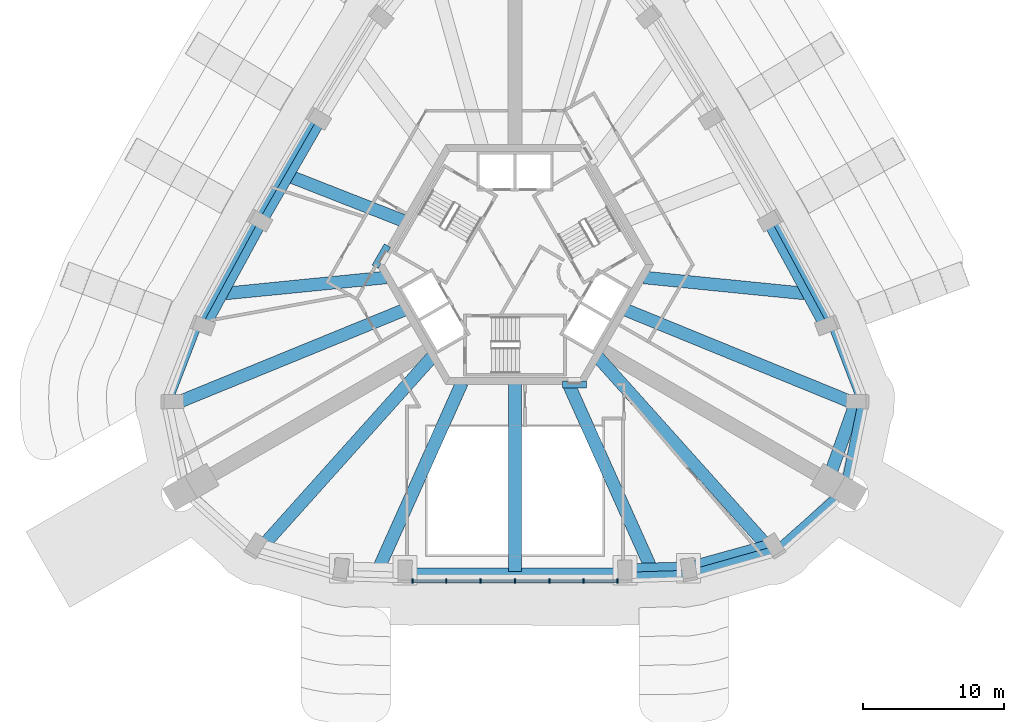
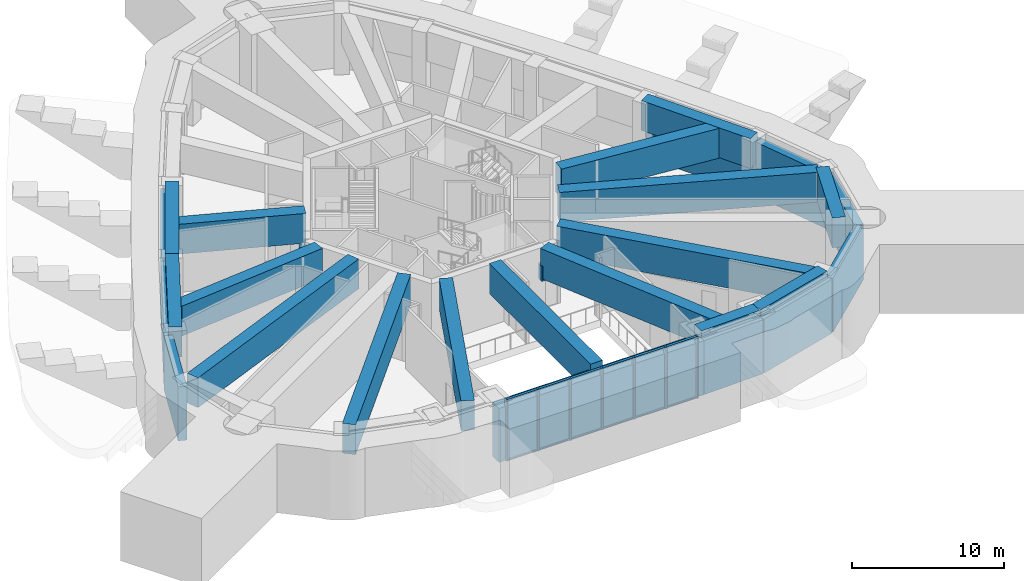
# One storey, part 2 of 15: 29 members, 18 beams, 1 element without a shape of its own.
"""IFC4 building model written with IfcOpenShell, lengths in metres."""

import ifcopenshell
import ifcopenshell.guid

model = None  # the IFC model being written
_history = None  # IfcOwnerHistory: only IFC2X3 demands one
_inside = {}  # id of a spatial element -> (the spatial element, [elements in it])
_under = {}  # id of a project, library or spatial element -> (it, [spatial elements below it])
_declared = {}  # id of a project -> (the project, [libraries it declares])
_typed = {}  # id of a type object -> (the type object, [elements of that type])
_made_of = {}  # id of a material, layer set ... -> (it, [elements and type objects made of it])


def new_model(schema):
    """Start an empty IFC model of exactly this schema.

    Asked for "IFC4X3", IfcOpenShell would pick the latest addendum, in which some entities
    have other attributes; the version numbers below select the first issue.
    IFC2X3 requires an IfcOwnerHistory on every rooted entity: one is made here for all.
    """
    global model, _history
    if schema == "IFC4X3":
        model = ifcopenshell.file(schema_version=(4, 3, 0, 0))
    else:
        model = ifcopenshell.file(schema=schema)
    _inside.clear()
    _under.clear()
    _declared.clear()
    _typed.clear()
    _made_of.clear()
    _history = None
    if model.schema == "IFC2X3":
        org = make("IfcOrganization", Name="unknown")
        user = make(
            "IfcPersonAndOrganization",
            ThePerson=make("IfcPerson", FamilyName="unknown"),
            TheOrganization=org,
        )
        app = make(
            "IfcApplication",
            ApplicationDeveloper=org,
            Version="unknown",
            ApplicationFullName="unknown",
            ApplicationIdentifier="unknown",
        )
        _history = make(
            "IfcOwnerHistory",
            OwningUser=user,
            OwningApplication=app,
            ChangeAction="ADDED",
            CreationDate=0,
        )
    return model


def make(cls, **values):
    """One entity of the class cls with the attributes given. An attribute that is None is left unset."""
    return model.create_entity(
        cls, **{name: value for name, value in values.items() if value is not None}
    )


def rooted(cls, **values):
    """An entity with a GlobalId (a new one), such as an element, a storey or a relation."""
    return make(cls, GlobalId=ifcopenshell.guid.new(), OwnerHistory=_history, **values)


def si_unit(unit_type, name, prefix=None):
    """IfcSIUnit, for example si_unit("LENGTHUNIT", "METRE", prefix="MILLI")."""
    return make("IfcSIUnit", UnitType=unit_type, Prefix=prefix, Name=name)


def assignment(units):
    """IfcUnitAssignment: the units of a project."""
    return None if units is None else make("IfcUnitAssignment", Units=units)


def point(xyz):
    """IfcCartesianPoint."""
    return None if xyz is None else make("IfcCartesianPoint", Coordinates=xyz)


def direction(xyz):
    """IfcDirection."""
    return None if xyz is None else make("IfcDirection", DirectionRatios=xyz)


def frame(location, z_axis=None, x_axis=None):
    """IfcAxis2Placement3D, a coordinate frame: its origin and axes. An axis left out is left unset."""
    return make(
        "IfcAxis2Placement3D",
        Location=point(location),
        Axis=direction(z_axis),
        RefDirection=direction(x_axis),
    )


def frame_2d(location, x_axis=None):
    """IfcAxis2Placement2D, a coordinate frame in the plane: its origin and x axis."""
    return make(
        "IfcAxis2Placement2D", Location=point(location), RefDirection=direction(x_axis)
    )


def origin():
    """The frame at (0, 0, 0) with its axes left unset."""
    return frame((0.0, 0.0, 0.0))


def origin_2d():
    """The frame at (0, 0) in the plane with its x axis left unset."""
    return frame_2d((0.0, 0.0))


def place(relative_to, where):
    """IfcLocalPlacement: puts the frame where relative to a parent placement (None: the world)."""
    return make(
        "IfcLocalPlacement", PlacementRelTo=relative_to, RelativePlacement=where
    )


def context(
    kind, dimensions, precision=None, world=None, true_north=None, identifier=None
):
    """IfcGeometricRepresentationContext, for example the 3D "Model" context."""
    return make(
        "IfcGeometricRepresentationContext",
        ContextIdentifier=identifier,
        ContextType=kind,
        CoordinateSpaceDimension=dimensions,
        Precision=precision,
        WorldCoordinateSystem=world,
        TrueNorth=true_north,
    )


def subcontext(parent, identifier, kind, view, scale=None):
    """IfcGeometricRepresentationSubContext, for example "Body" below "Model"."""
    return make(
        "IfcGeometricRepresentationSubContext",
        ContextIdentifier=identifier,
        ContextType=kind,
        ParentContext=parent,
        TargetScale=scale,
        TargetView=view,
    )


def project(units=None, contexts=None):
    """IfcProject with its units and contexts."""
    return rooted(
        "IfcProject",
        Name="project",
        RepresentationContexts=contexts,
        UnitsInContext=assignment(units),
    )


def spatial(cls, under=None, at=None, **own):
    """A site, building, storey or space (cls), placed at a placement, below another one or the project."""
    s = rooted(cls, ObjectPlacement=at, **own)
    if under is not None:
        _under.setdefault(under.id(), (under, []))[1].append(s)
    return s


def profile(cls, at=None, kind="AREA", **sizes):
    """A parametric profile (cls). Its sizes go by their IFC names, for example OverallWidth=200.0."""
    return make(cls, ProfileType=kind, Position=at, **sizes)


def rectangle(**sizes):
    """IfcRectangleProfileDef."""
    return profile("IfcRectangleProfileDef", **sizes)


def extrude(swept, where, along, depth):
    """IfcExtrudedAreaSolid: the profile swept, set in the frame where, extruded along a direction by depth."""
    return make(
        "IfcExtrudedAreaSolid",
        SweptArea=swept,
        Position=where,
        ExtrudedDirection=direction(along),
        Depth=depth,
    )


def shape(context_of_items, identifier, shape_type, items):
    """IfcShapeRepresentation: the items that make up one representation, for example the "Body"."""
    return make(
        "IfcShapeRepresentation",
        ContextOfItems=context_of_items,
        RepresentationIdentifier=identifier,
        RepresentationType=shape_type,
        Items=items,
    )


def material(Name=None, Category=None):
    """IfcMaterial."""
    return make("IfcMaterial", Name=Name, Category=Category)


def material_profile(
    of_material, cross_section, Name=None, Category=None, Priority=None
):
    """IfcMaterialProfile: a cross section and its material."""
    return make(
        "IfcMaterialProfile",
        Name=Name,
        Material=of_material,
        Profile=cross_section,
        Priority=Priority,
        Category=Category,
    )


def profile_set(profiles, Name=None, composite=None):
    """IfcMaterialProfileSet."""
    return make(
        "IfcMaterialProfileSet",
        Name=Name,
        MaterialProfiles=profiles,
        CompositeProfile=composite,
    )


def made_of(thing, what):
    """Note that an element or type object is made of a material, layer set ...; save() writes the relation."""
    if what is not None:
        _made_of.setdefault(what.id(), (what, []))[1].append(thing)
    return thing


def type_object(cls, material=None, **own):
    """A type object (cls), such as IfcWallType, which elements share."""
    return made_of(rooted(cls, **own), material)


def element(
    cls,
    number,
    at=None,
    inside=None,
    cuts=None,
    type_object=None,
    material=None,
    context=None,
    identifier="Body",
    shape_type=None,
    held_by="IfcProductDefinitionShape",
    body=None,
    shapes=None,
    **own,
):
    """One element of the class cls, such as IfcWall. Its Tag is "e" and its number.

    at: its placement. inside: the storey or other place that contains it. cuts: it is an
    opening in that element (IfcRelVoidsElement). A single representation is given by context,
    identifier, shape_type and body (its items); several are given by shapes. held_by: the class
    of the entity that holds the representations. save() writes the other relations.
    """
    e = rooted(cls, Tag="e%d" % number, ObjectPlacement=at, **own)
    if body is not None:
        shapes = [shape(context, identifier, shape_type, body)]
    if shapes is not None:
        e.Representation = make(held_by, Representations=shapes)
    if inside is not None:
        _inside.setdefault(inside.id(), (inside, []))[1].append(e)
    if cuts is not None:
        rooted(
            "IfcRelVoidsElement", RelatingBuildingElement=cuts, RelatedOpeningElement=e
        )
    if type_object is not None:
        _typed.setdefault(type_object.id(), (type_object, []))[1].append(e)
    return made_of(e, material)


def aggregate(whole, parts):
    """IfcRelAggregates: a whole, such as a stair, and the parts it consists of."""
    return rooted("IfcRelAggregates", RelatingObject=whole, RelatedObjects=parts)


def save(model, path):
    """Write the relations noted so far, then the file.

    IfcRelAggregates (storeys below a building ...), IfcRelContainedInSpatialStructure (elements
    in a storey), IfcRelDefinesByType, IfcRelAssociatesMaterial and IfcRelDeclares: one each for
    every whole, place, type object, material and project.
    """
    for whole, parts in _under.values():
        aggregate(whole, parts)
    for where, things in _inside.values():
        rooted(
            "IfcRelContainedInSpatialStructure",
            RelatedElements=things,
            RelatingStructure=where,
        )
    for kind, things in _typed.values():
        rooted("IfcRelDefinesByType", RelatedObjects=things, RelatingType=kind)
    for what, things in _made_of.values():
        rooted("IfcRelAssociatesMaterial", RelatedObjects=things, RelatingMaterial=what)
    for by, libraries in _declared.values():
        rooted("IfcRelDeclares", RelatingContext=by, RelatedDefinitions=libraries)
    model.write(path)


model = new_model("IFC4")

# Units and contexts
model_context = context("Model", 3, precision=1e-05, world=origin(), true_north=direction((0.0, 1.0)))
body_context = subcontext(model_context, "Body", "Model", "MODEL_VIEW")
ifc_project = project(units=[si_unit("LENGTHUNIT", "METRE"), si_unit("AREAUNIT", "SQUARE_METRE"), si_unit("VOLUMEUNIT", "CUBIC_METRE"), si_unit("PLANEANGLEUNIT", "RADIAN"), si_unit("MASSUNIT", "GRAM", prefix="KILO")], contexts=[model_context])

# Site, building, storey
site_placement = place(None, origin())
site = spatial("IfcSite", under=ifc_project, at=site_placement, CompositionType="ELEMENT")
building_placement = place(site_placement, origin())
building = spatial("IfcBuilding", under=site, at=building_placement, Name="Entoto Arch Interchange Tower", CompositionType="ELEMENT")
storey_placement = place(building_placement, frame((0.0, 0.0, 326.0)))
storey = spatial("IfcBuildingStorey", under=building, at=storey_placement, Name="L77", CompositionType="ELEMENT", Elevation=326.0)

# Members
ifc_material_1 = material(Name="Concrete C40/50", Category="concrete")
ifc_material_profile_1 = material_profile(ifc_material_1, rectangle(XDim=0.60009765625, YDim=4.35009765625, at=origin_2d()))
ifc_profile_set_1 = profile_set([ifc_material_profile_1], Name="Concrete C40/50")
member_type_1 = type_object("IfcMemberType", Name="Belt member RC 600x4350 C40/50", PredefinedType="USERDEFINED", material=ifc_profile_set_1)
member_1_placement = place(storey_placement, frame((7.79296875, -19.589111328125, 2.175048828125), z_axis=(0.999493632007, 0.031819484239, 0.0), x_axis=(-0.031819484239, 0.999493632007, 0.0)))
element("IfcMember", 1, at=member_1_placement, inside=storey, type_object=member_type_1, Name="Belt beam 03 L77", ObjectType="BELT BEAM", PredefinedType="USERDEFINED", context=body_context, shape_type="SweptSolid", body=[
    extrude(rectangle(XDim=0.60009765625, YDim=4.35009765625, at=origin_2d()), origin(), (0.0, 0.0, 1.0), 4.58837890625),
])
member_2_placement = place(storey_placement, frame((12.37890625, -19.443115234375, 2.175048828125), z_axis=(0.962373790372, 0.271729070223, 0.0), x_axis=(-0.271729070223, 0.962373790372, 0.0)))
element("IfcMember", 2, at=member_2_placement, inside=storey, type_object=member_type_1, Name="Belt beam 04 L77", ObjectType="BELT BEAM", PredefinedType="USERDEFINED", context=body_context, shape_type="SweptSolid", body=[
    extrude(rectangle(XDim=0.60009765625, YDim=4.35009765625, at=origin_2d()), origin(), (0.0, 0.0, 1.0), 6.42578125),
])
member_3_placement = place(storey_placement, frame((18.56298828125, -17.697021484375, 2.175048828125), z_axis=(0.747633442588, 0.664111613755, 0.0), x_axis=(-0.664111613755, 0.747633442588, 0.0)))
element("IfcMember", 3, at=member_3_placement, inside=storey, type_object=member_type_1, Name="Belt beam 05 L77", ObjectType="BELT BEAM", PredefinedType="USERDEFINED", context=body_context, shape_type="SweptSolid", body=[
    extrude(rectangle(XDim=0.60009765625, YDim=4.35009765625, at=origin_2d()), origin(), (0.0, 0.0, 1.0), 6.369384765625),
])
member_4_placement = place(storey_placement, frame((23.324951171875, -13.467041015625, 2.175048828125), z_axis=(0.201339052454, 0.979521610766, 0.0), x_axis=(-0.979521610766, 0.201339052454, 0.0)))
element("IfcMember", 4, at=member_4_placement, inside=storey, type_object=member_type_1, Name="Belt beam 06 L77", ObjectType="BELT BEAM", PredefinedType="USERDEFINED", context=body_context, shape_type="SweptSolid", body=[
    extrude(rectangle(XDim=0.60009765625, YDim=4.35009765625, at=origin_2d()), origin(), (0.0, 0.0, 1.0), 6.343017578125),
])
member_5_placement = place(storey_placement, frame((24.60205078125, -7.25390625, 2.175048828125), z_axis=(-0.359774949472, 0.933039112649, 0.0), x_axis=(-0.933039112649, -0.359774949472, 0.0)))
element("IfcMember", 5, at=member_5_placement, inside=storey, type_object=member_type_1, Name="Belt beam 07 L77", ObjectType="BELT BEAM", PredefinedType="USERDEFINED", context=body_context, shape_type="SweptSolid", body=[
    extrude(rectangle(XDim=0.60009765625, YDim=4.35009765625, at=origin_2d()), origin(), (0.0, 0.0, 1.0), 5.939697265625),
])
member_6_placement = place(storey_placement, frame((22.465087890625, -1.7119140625, 2.175048828125), z_axis=(-0.47669455726, 0.87906899563, 0.0), x_axis=(-0.87906899563, -0.47669455726, 0.0)))
element("IfcMember", 6, at=member_6_placement, inside=storey, type_object=member_type_1, Name="Belt beam 08 L77", ObjectType="BELT BEAM", PredefinedType="USERDEFINED", context=body_context, shape_type="SweptSolid", body=[
    extrude(rectangle(XDim=0.60009765625, YDim=4.35009765625, at=origin_2d()), origin(), (0.0, 0.0, 1.0), 8.544189453125),
])
member_7_placement = place(storey_placement, frame((-14.218017578125, 13.028076171875, 2.175048828125), z_axis=(-0.500036379844, -0.866004398853, 0.0), x_axis=(0.866004398853, -0.500036379844, 0.0)))
element("IfcMember", 7, at=member_7_placement, inside=storey, type_object=member_type_1, Name="Belt beam 16 L77", ObjectType="BELT BEAM", PredefinedType="USERDEFINED", context=body_context, shape_type="SweptSolid", body=[
    extrude(rectangle(XDim=0.60009765625, YDim=4.35009765625, at=origin_2d()), origin(), (0.0, 0.0, 1.0), 8.34765625),
])
member_8_placement = place(storey_placement, frame((-18.39208984375, 5.799072265625, 2.175048828125), z_axis=(-0.47669455726, -0.87906899563, 0.0), x_axis=(0.87906899563, -0.47669455726, 0.0)))
element("IfcMember", 8, at=member_8_placement, inside=storey, type_object=member_type_1, Name="Belt beam 17 L77", ObjectType="BELT BEAM", PredefinedType="USERDEFINED", context=body_context, shape_type="SweptSolid", body=[
    extrude(rectangle(XDim=0.60009765625, YDim=4.35009765625, at=origin_2d()), origin(), (0.0, 0.0, 1.0), 8.544189453125),
])
member_9_placement = place(storey_placement, frame((-22.465087890625, -1.7119140625, 2.175048828125), z_axis=(-0.359774949472, -0.933039112649, 0.0), x_axis=(0.933039112649, -0.359774949472, 0.0)))
element("IfcMember", 9, at=member_9_placement, inside=storey, type_object=member_type_1, Name="Belt beam 18 L77", ObjectType="BELT BEAM", PredefinedType="USERDEFINED", context=body_context, shape_type="SweptSolid", body=[
    extrude(rectangle(XDim=0.60009765625, YDim=4.35009765625, at=origin_2d()), origin(), (0.0, 0.0, 1.0), 5.939697265625),
])
ifc_material_profile_2 = material_profile(ifc_material_1, rectangle(XDim=0.89990234375, YDim=4.35009765625, at=origin_2d()))
ifc_profile_set_2 = profile_set([ifc_material_profile_2], Name="Concrete C40/50")
member_type_2 = type_object("IfcMemberType", Name="Belt member RC 900x4350 C40/50", PredefinedType="USERDEFINED", material=ifc_profile_set_2)
member_10_placement = place(storey_placement, frame((-7.79296875, -19.43896484375, 2.175048828125), z_axis=(1.0, 0.0, 0.0), x_axis=(0.0, 1.0, 0.0)))
element("IfcMember", 10, at=member_10_placement, inside=storey, type_object=member_type_2, Name="Belt beam 02 L77", ObjectType="BELT BEAM", PredefinedType="USERDEFINED", context=body_context, shape_type="SweptSolid", body=[
    extrude(rectangle(XDim=0.89990234375, YDim=4.35009765625, at=origin_2d()), origin(), (0.0, 0.0, 1.0), 15.5859375),
])

# Beams
ifc_material_profile_3 = material_profile(ifc_material_1, rectangle(XDim=0.5, YDim=1.199951171875, at=origin_2d()))
ifc_profile_set_3 = profile_set([ifc_material_profile_3], Name="Concrete C40/50")
beam_type_1 = type_object("IfcBeamType", Name="Coupling beam RC 500x1200 C40/50", PredefinedType="BEAM", material=ifc_profile_set_3)
beam_1_placement = place(storey_placement, frame((-9.035888671875, 3.84912109375, 3.0), z_axis=(-0.500105721196, -0.865964357019, 0.0), x_axis=(0.865964357019, -0.500105721196, 0.0)))
element("IfcBeam", 11, at=beam_1_placement, inside=storey, type_object=beam_type_1, Name="Coupling beam NW L77", PredefinedType="BEAM", context=body_context, shape_type="SweptSolid", body=[
    extrude(rectangle(XDim=0.5, YDim=1.199951171875, at=origin_2d()), origin(), (0.0, 0.0, 1.0), 1.727783203125),
])
beam_2_placement = place(storey_placement, frame((3.35009765625, -6.0, 3.0), z_axis=(1.0, 0.0, 0.0), x_axis=(0.0, 1.0, 0.0)))
element("IfcBeam", 12, at=beam_2_placement, inside=storey, type_object=beam_type_1, Name="Coupling beam S L77", PredefinedType="BEAM", context=body_context, shape_type="SweptSolid", body=[
    extrude(rectangle(XDim=0.5, YDim=1.199951171875, at=origin_2d()), origin(), (0.0, 0.0, 1.0), 1.725830078125),
])

# Curtain wall, members
ifc_material_2 = material(Name="Aluminium, anodised", Category="aluminium")
curtain_wall_type = type_object("IfcCurtainWallType", Name="CURTAIN WALL ATRIUM", PredefinedType="NOTDEFINED", material=ifc_material_2)
curtain_wall_placement = place(storey_placement, origin())
curtain_wall = element("IfcCurtainWall", 13, at=curtain_wall_placement, inside=storey, type_object=curtain_wall_type, Name="Atrium glazing S-02 L77", PredefinedType="NOTDEFINED")
ifc_material_profile_4 = material_profile(ifc_material_2, rectangle(XDim=0.300048828125, YDim=0.10009765625, at=origin_2d()))
ifc_profile_set_4 = profile_set([ifc_material_profile_4], Name="Aluminium, anodised")
member_type_3 = type_object("IfcMemberType", Name="MULLION ATRIUM 100x300", PredefinedType="MULLION", material=ifc_profile_set_4)
member_11_placement = place(storey_placement, frame((-7.248046875, -19.908935546875, 0.0), z_axis=(0.0, 0.0, 1.0), x_axis=(0.0, 1.0, 0.0)))
member_11 = element("IfcMember", 14, at=member_11_placement, type_object=member_type_3, Name="CWA mullion 1", PredefinedType="MULLION", context=body_context, shape_type="SweptSolid", body=[
    extrude(rectangle(XDim=0.300048828125, YDim=0.10009765625, at=origin_2d()), origin(), (0.0, 0.0, 1.0), 4.949951171875),
])
member_12_placement = place(storey_placement, frame((-4.865234375, -19.908935546875, 0.0), z_axis=(0.0, 0.0, 1.0), x_axis=(0.0, 1.0, 0.0)))
member_12 = element("IfcMember", 15, at=member_12_placement, type_object=member_type_3, Name="CWA mullion 2", PredefinedType="MULLION", context=body_context, shape_type="SweptSolid", body=[
    extrude(rectangle(XDim=0.300048828125, YDim=0.10009765625, at=origin_2d()), origin(), (0.0, 0.0, 1.0), 4.949951171875),
])
member_13_placement = place(storey_placement, frame((-2.4326171875, -19.908935546875, 0.0), z_axis=(0.0, 0.0, 1.0), x_axis=(0.0, 1.0, 0.0)))
member_13 = element("IfcMember", 16, at=member_13_placement, type_object=member_type_3, Name="CWA mullion 3", PredefinedType="MULLION", context=body_context, shape_type="SweptSolid", body=[
    extrude(rectangle(XDim=0.300048828125, YDim=0.10009765625, at=origin_2d()), origin(), (0.0, 0.0, 1.0), 4.949951171875),
])
member_14_placement = place(storey_placement, frame((0.0, -19.908935546875, 0.0), z_axis=(0.0, 0.0, 1.0), x_axis=(0.0, 1.0, 0.0)))
member_14 = element("IfcMember", 17, at=member_14_placement, type_object=member_type_3, Name="CWA mullion 4", PredefinedType="MULLION", context=body_context, shape_type="SweptSolid", body=[
    extrude(rectangle(XDim=0.300048828125, YDim=0.10009765625, at=origin_2d()), origin(), (0.0, 0.0, 1.0), 4.949951171875),
])
member_15_placement = place(storey_placement, frame((2.4326171875, -19.908935546875, 0.0), z_axis=(0.0, 0.0, 1.0), x_axis=(0.0, 1.0, 0.0)))
member_15 = element("IfcMember", 18, at=member_15_placement, type_object=member_type_3, Name="CWA mullion 5", PredefinedType="MULLION", context=body_context, shape_type="SweptSolid", body=[
    extrude(rectangle(XDim=0.300048828125, YDim=0.10009765625, at=origin_2d()), origin(), (0.0, 0.0, 1.0), 4.949951171875),
])
member_16_placement = place(storey_placement, frame((4.865234375, -19.908935546875, 0.0), z_axis=(0.0, 0.0, 1.0), x_axis=(0.0, 1.0, 0.0)))
member_16 = element("IfcMember", 19, at=member_16_placement, type_object=member_type_3, Name="CWA mullion 6", PredefinedType="MULLION", context=body_context, shape_type="SweptSolid", body=[
    extrude(rectangle(XDim=0.300048828125, YDim=0.10009765625, at=origin_2d()), origin(), (0.0, 0.0, 1.0), 4.949951171875),
])
member_17_placement = place(storey_placement, frame((7.248046875, -19.908935546875, 0.0), z_axis=(0.0, 0.0, 1.0), x_axis=(0.0, 1.0, 0.0)))
member_17 = element("IfcMember", 20, at=member_17_placement, type_object=member_type_3, Name="CWA mullion 7", PredefinedType="MULLION", context=body_context, shape_type="SweptSolid", body=[
    extrude(rectangle(XDim=0.300048828125, YDim=0.10009765625, at=origin_2d()), origin(), (0.0, 0.0, 1.0), 4.949951171875),
])
ifc_material_profile_5 = material_profile(ifc_material_2, rectangle(XDim=0.199951171875, YDim=0.080078125, at=origin_2d()))
ifc_profile_set_5 = profile_set([ifc_material_profile_5], Name="Aluminium, anodised")
member_type_4 = type_object("IfcMemberType", Name="TRANSOM ATRIUM 80x200", PredefinedType="USERDEFINED", material=ifc_profile_set_5)
member_18_placement = place(storey_placement, frame((-7.197998046875, -19.908935546875, 0.0400390625), z_axis=(1.0, 0.0, 0.0), x_axis=(0.0, 1.0, 0.0)))
member_18 = element("IfcMember", 21, at=member_18_placement, type_object=member_type_4, Name="CWA transom 1.1", ObjectType="TRANSOM", PredefinedType="USERDEFINED", context=body_context, shape_type="SweptSolid", body=[
    extrude(rectangle(XDim=0.199951171875, YDim=0.080078125, at=origin_2d()), origin(), (0.0, 0.0, 1.0), 2.28271484375),
])
member_19_placement = place(storey_placement, frame((-7.197998046875, -19.908935546875, 4.909912109375), z_axis=(1.0, 0.0, 0.0), x_axis=(0.0, 1.0, 0.0)))
member_19 = element("IfcMember", 22, at=member_19_placement, type_object=member_type_4, Name="CWA transom 1.2", ObjectType="TRANSOM", PredefinedType="USERDEFINED", context=body_context, shape_type="SweptSolid", body=[
    extrude(rectangle(XDim=0.199951171875, YDim=0.080078125, at=origin_2d()), origin(), (0.0, 0.0, 1.0), 2.28271484375),
])
member_20_placement = place(storey_placement, frame((-4.8154296875, -19.908935546875, 0.0400390625), z_axis=(1.0, 0.0, 0.0), x_axis=(0.0, 1.0, 0.0)))
member_20 = element("IfcMember", 23, at=member_20_placement, type_object=member_type_4, Name="CWA transom 2.1", ObjectType="TRANSOM", PredefinedType="USERDEFINED", context=body_context, shape_type="SweptSolid", body=[
    extrude(rectangle(XDim=0.199951171875, YDim=0.080078125, at=origin_2d()), origin(), (0.0, 0.0, 1.0), 2.332763671875),
])
member_21_placement = place(storey_placement, frame((-4.8154296875, -19.908935546875, 4.909912109375), z_axis=(1.0, 0.0, 0.0), x_axis=(0.0, 1.0, 0.0)))
member_21 = element("IfcMember", 24, at=member_21_placement, type_object=member_type_4, Name="CWA transom 2.2", ObjectType="TRANSOM", PredefinedType="USERDEFINED", context=body_context, shape_type="SweptSolid", body=[
    extrude(rectangle(XDim=0.199951171875, YDim=0.080078125, at=origin_2d()), origin(), (0.0, 0.0, 1.0), 2.332763671875),
])
member_22_placement = place(storey_placement, frame((-2.382568359375, -19.908935546875, 0.0400390625), z_axis=(1.0, 0.0, 0.0), x_axis=(0.0, 1.0, 0.0)))
member_22 = element("IfcMember", 25, at=member_22_placement, type_object=member_type_4, Name="CWA transom 3.1", ObjectType="TRANSOM", PredefinedType="USERDEFINED", context=body_context, shape_type="SweptSolid", body=[
    extrude(rectangle(XDim=0.199951171875, YDim=0.080078125, at=origin_2d()), origin(), (0.0, 0.0, 1.0), 2.33251953125),
])
member_23_placement = place(storey_placement, frame((-2.382568359375, -19.908935546875, 4.909912109375), z_axis=(1.0, 0.0, 0.0), x_axis=(0.0, 1.0, 0.0)))
member_23 = element("IfcMember", 26, at=member_23_placement, type_object=member_type_4, Name="CWA transom 3.2", ObjectType="TRANSOM", PredefinedType="USERDEFINED", context=body_context, shape_type="SweptSolid", body=[
    extrude(rectangle(XDim=0.199951171875, YDim=0.080078125, at=origin_2d()), origin(), (0.0, 0.0, 1.0), 2.33251953125),
])
member_24_placement = place(storey_placement, frame((0.050048828125, -19.908935546875, 0.0400390625), z_axis=(1.0, 0.0, 0.0), x_axis=(0.0, 1.0, 0.0)))
member_24 = element("IfcMember", 27, at=member_24_placement, type_object=member_type_4, Name="CWA transom 4.1", ObjectType="TRANSOM", PredefinedType="USERDEFINED", context=body_context, shape_type="SweptSolid", body=[
    extrude(rectangle(XDim=0.199951171875, YDim=0.080078125, at=origin_2d()), origin(), (0.0, 0.0, 1.0), 2.33251953125),
])
member_25_placement = place(storey_placement, frame((0.050048828125, -19.908935546875, 4.909912109375), z_axis=(1.0, 0.0, 0.0), x_axis=(0.0, 1.0, 0.0)))
member_25 = element("IfcMember", 28, at=member_25_placement, type_object=member_type_4, Name="CWA transom 4.2", ObjectType="TRANSOM", PredefinedType="USERDEFINED", context=body_context, shape_type="SweptSolid", body=[
    extrude(rectangle(XDim=0.199951171875, YDim=0.080078125, at=origin_2d()), origin(), (0.0, 0.0, 1.0), 2.33251953125),
])
member_26_placement = place(storey_placement, frame((2.482666015625, -19.908935546875, 0.0400390625), z_axis=(1.0, 0.0, 0.0), x_axis=(0.0, 1.0, 0.0)))
member_26 = element("IfcMember", 29, at=member_26_placement, type_object=member_type_4, Name="CWA transom 5.1", ObjectType="TRANSOM", PredefinedType="USERDEFINED", context=body_context, shape_type="SweptSolid", body=[
    extrude(rectangle(XDim=0.199951171875, YDim=0.080078125, at=origin_2d()), origin(), (0.0, 0.0, 1.0), 2.332763671875),
])
member_27_placement = place(storey_placement, frame((2.482666015625, -19.908935546875, 4.909912109375), z_axis=(1.0, 0.0, 0.0), x_axis=(0.0, 1.0, 0.0)))
member_27 = element("IfcMember", 30, at=member_27_placement, type_object=member_type_4, Name="CWA transom 5.2", ObjectType="TRANSOM", PredefinedType="USERDEFINED", context=body_context, shape_type="SweptSolid", body=[
    extrude(rectangle(XDim=0.199951171875, YDim=0.080078125, at=origin_2d()), origin(), (0.0, 0.0, 1.0), 2.332763671875),
])
member_28_placement = place(storey_placement, frame((4.915283203125, -19.908935546875, 0.0400390625), z_axis=(1.0, 0.0, 0.0), x_axis=(0.0, 1.0, 0.0)))
member_28 = element("IfcMember", 31, at=member_28_placement, type_object=member_type_4, Name="CWA transom 6.1", ObjectType="TRANSOM", PredefinedType="USERDEFINED", context=body_context, shape_type="SweptSolid", body=[
    extrude(rectangle(XDim=0.199951171875, YDim=0.080078125, at=origin_2d()), origin(), (0.0, 0.0, 1.0), 2.28271484375),
])
member_29_placement = place(storey_placement, frame((4.915283203125, -19.908935546875, 4.909912109375), z_axis=(1.0, 0.0, 0.0), x_axis=(0.0, 1.0, 0.0)))
member_29 = element("IfcMember", 32, at=member_29_placement, type_object=member_type_4, Name="CWA transom 6.2", ObjectType="TRANSOM", PredefinedType="USERDEFINED", context=body_context, shape_type="SweptSolid", body=[
    extrude(rectangle(XDim=0.199951171875, YDim=0.080078125, at=origin_2d()), origin(), (0.0, 0.0, 1.0), 2.28271484375),
])
aggregate(curtain_wall, [member_11, member_12, member_13, member_14, member_15, member_16, member_17, member_18, member_19, member_20, member_21, member_22, member_23, member_24, member_25, member_26, member_27, member_28, member_29])

# Beams
ifc_material_profile_6 = material_profile(ifc_material_1, rectangle(XDim=0.89990234375, YDim=2.39990234375, at=origin_2d()))
ifc_profile_set_6 = profile_set([ifc_material_profile_6], Name="Concrete C40/50")
beam_type_2 = type_object("IfcBeamType", Name="Transfer beam RC 900x2400 C40/50", PredefinedType="BEAM", material=ifc_profile_set_6)
beam_3_placement = place(storey_placement, frame((-5.8701171875, -4.047119140625, 3.75), z_axis=(-0.667551344461, -0.744563766583, 0.0), x_axis=(0.744563766583, -0.667551344461, 0.0)))
element("IfcBeam", 33, at=beam_3_placement, inside=storey, type_object=beam_type_2, Name="Transfer beam S01 L77", PredefinedType="BEAM", context=body_context, shape_type="SweptSolid", body=[
    extrude(rectangle(XDim=0.89990234375, YDim=2.39990234375, at=origin_2d()), origin(), (0.0, 0.0, 1.0), 17.698974609375),
])
beam_4_placement = place(storey_placement, frame((-3.7509765625, -5.863037109375, 3.75), z_axis=(-0.409223450443, -0.912434199056, 0.0), x_axis=(0.912434199056, -0.409223450443, 0.0)))
element("IfcBeam", 34, at=beam_4_placement, inside=storey, type_object=beam_type_2, Name="Transfer beam S02 L77", PredefinedType="BEAM", context=body_context, shape_type="SweptSolid", body=[
    extrude(rectangle(XDim=0.89990234375, YDim=2.39990234375, at=origin_2d()), origin(), (0.0, 0.0, 1.0), 14.182861328125),
])
beam_5_placement = place(storey_placement, frame((0.0, -5.85009765625, 3.75), z_axis=(0.0, -1.0, 0.0), x_axis=(1.0, 0.0, 0.0)))
element("IfcBeam", 35, at=beam_5_placement, inside=storey, type_object=beam_type_2, Name="Transfer beam S03 L77", PredefinedType="BEAM", context=body_context, shape_type="SweptSolid", body=[
    extrude(rectangle(XDim=0.89990234375, YDim=2.39990234375, at=origin_2d()), origin(), (0.0, 0.0, 1.0), 13.3837890625),
])
beam_6_placement = place(storey_placement, frame((3.7509765625, -5.863037109375, 3.75), z_axis=(0.409223450443, -0.912434199056, 0.0), x_axis=(0.912434199056, 0.409223450443, 0.0)))
element("IfcBeam", 36, at=beam_6_placement, inside=storey, type_object=beam_type_2, Name="Transfer beam S04 L77", PredefinedType="BEAM", context=body_context, shape_type="SweptSolid", body=[
    extrude(rectangle(XDim=0.89990234375, YDim=2.39990234375, at=origin_2d()), origin(), (0.0, 0.0, 1.0), 14.182861328125),
])
beam_7_placement = place(storey_placement, frame((7.781982421875, -19.134033203125, 3.75), z_axis=(0.999553247027, 0.029888231081, 0.0), x_axis=(-0.029888231081, 0.999553247027, 0.0)))
element("IfcBeam", 37, at=beam_7_placement, inside=storey, type_object=beam_type_2, Name="Transfer girder S04 L77", PredefinedType="BEAM", context=body_context, shape_type="SweptSolid", body=[
    extrude(rectangle(XDim=0.89990234375, YDim=2.39990234375, at=origin_2d()), origin(), (0.0, 0.0, 1.0), 4.51708984375),
])
beam_8_placement = place(storey_placement, frame((5.8701171875, -4.047119140625, 3.75), z_axis=(0.667551344461, -0.744563766583, 0.0), x_axis=(0.744563766583, 0.667551344461, 0.0)))
element("IfcBeam", 38, at=beam_8_placement, inside=storey, type_object=beam_type_2, Name="Transfer beam S05 L77", PredefinedType="BEAM", context=body_context, shape_type="SweptSolid", body=[
    extrude(rectangle(XDim=0.89990234375, YDim=2.39990234375, at=origin_2d()), origin(), (0.0, 0.0, 1.0), 17.698974609375),
])
beam_9_placement = place(storey_placement, frame((12.297119140625, -18.9990234375, 3.75), z_axis=(0.963605817615, 0.267327193264, 0.0), x_axis=(-0.267327193264, 0.963605817615, 0.0)))
element("IfcBeam", 39, at=beam_9_placement, inside=storey, type_object=beam_type_2, Name="Transfer girder S05 L77", PredefinedType="BEAM", context=body_context, shape_type="SweptSolid", body=[
    extrude(rectangle(XDim=0.89990234375, YDim=2.39990234375, at=origin_2d()), origin(), (0.0, 0.0, 1.0), 6.2431640625),
])
beam_10_placement = place(storey_placement, frame((7.802001953125, -0.68896484375, 3.75), z_axis=(0.925638792686, -0.378408278814, 0.0), x_axis=(0.378408278814, 0.925638792686, 0.0)))
element("IfcBeam", 40, at=beam_10_placement, inside=storey, type_object=beam_type_2, Name="Transfer beam NE01 L77", PredefinedType="BEAM", context=body_context, shape_type="SweptSolid", body=[
    extrude(rectangle(XDim=0.89990234375, YDim=2.39990234375, at=origin_2d()), origin(), (0.0, 0.0, 1.0), 17.314697265625),
])
beam_11_placement = place(storey_placement, frame((22.172119140625, -12.801025390625, 3.75), z_axis=(0.334766011092, 0.942301288239, 0.0), x_axis=(-0.942301288239, 0.334766011092, 0.0)))
element("IfcBeam", 41, at=beam_11_placement, inside=storey, type_object=beam_type_2, Name="Transfer girder NE01 L77", PredefinedType="BEAM", context=body_context, shape_type="SweptSolid", body=[
    extrude(rectangle(XDim=0.89990234375, YDim=2.39990234375, at=origin_2d()), origin(), (0.0, 0.0, 1.0), 5.9501953125),
])
beam_12_placement = place(storey_placement, frame((9.132080078125, 1.590087890625, 3.75), z_axis=(0.995073743436, -0.099137506141, 0.0), x_axis=(0.099137506141, 0.995073743436, 0.0)))
element("IfcBeam", 42, at=beam_12_placement, inside=storey, type_object=beam_type_2, Name="Transfer beam NE02 L77", PredefinedType="BEAM", context=body_context, shape_type="SweptSolid", body=[
    extrude(rectangle(XDim=0.89990234375, YDim=2.39990234375, at=origin_2d()), origin(), (0.0, 0.0, 1.0), 11.419189453125),
])
beam_13_placement = place(storey_placement, frame((22.027099609375, -1.841064453125, 3.75), z_axis=(-0.477648661051, 0.878550941378, 0.0), x_axis=(-0.878550941378, -0.477648661051, 0.0)))
element("IfcBeam", 43, at=beam_13_placement, inside=storey, type_object=beam_type_2, Name="Transfer girder NE02 L77", PredefinedType="BEAM", context=body_context, shape_type="SweptSolid", body=[
    extrude(rectangle(XDim=0.89990234375, YDim=2.39990234375, at=origin_2d()), origin(), (0.0, 0.0, 1.0), 8.44580078125),
])
beam_14_placement = place(storey_placement, frame((-7.863037109375, 5.5849609375, 3.75), z_axis=(-0.930937686272, 0.365178072013, 0.0), x_axis=(-0.365178072013, -0.930937686272, 0.0)))
element("IfcBeam", 44, at=beam_14_placement, inside=storey, type_object=beam_type_2, Name="Transfer beam NW03 L77", PredefinedType="BEAM", context=body_context, shape_type="SweptSolid", body=[
    extrude(rectangle(XDim=0.89990234375, YDim=2.39990234375, at=origin_2d()), origin(), (0.0, 0.0, 1.0), 8.56884765625),
])
beam_15_placement = place(storey_placement, frame((-13.827880859375, 12.79296875, 3.75), z_axis=(-0.500009985057, -0.866019638832, 0.0), x_axis=(0.866019638832, -0.500009985057, 0.0)))
element("IfcBeam", 45, at=beam_15_placement, inside=storey, type_object=beam_type_2, Name="Transfer girder NW03 L77", PredefinedType="BEAM", context=body_context, shape_type="SweptSolid", body=[
    extrude(rectangle(XDim=0.89990234375, YDim=2.39990234375, at=origin_2d()), origin(), (0.0, 0.0, 1.0), 8.329833984375),
])
beam_16_placement = place(storey_placement, frame((-9.132080078125, 1.590087890625, 3.75), z_axis=(-0.995073743436, -0.099137506141, 0.0), x_axis=(0.099137506141, -0.995073743436, 0.0)))
element("IfcBeam", 46, at=beam_16_placement, inside=storey, type_object=beam_type_2, Name="Transfer beam NW04 L77", PredefinedType="BEAM", context=body_context, shape_type="SweptSolid", body=[
    extrude(rectangle(XDim=0.89990234375, YDim=2.39990234375, at=origin_2d()), origin(), (0.0, 0.0, 1.0), 11.419189453125),
])
beam_17_placement = place(storey_placement, frame((-17.992919921875, 5.5791015625, 3.75), z_axis=(-0.477648661051, -0.878550941378, 0.0), x_axis=(0.878550941378, -0.477648661051, 0.0)))
element("IfcBeam", 47, at=beam_17_placement, inside=storey, type_object=beam_type_2, Name="Transfer girder NW04 L77", PredefinedType="BEAM", context=body_context, shape_type="SweptSolid", body=[
    extrude(rectangle(XDim=0.89990234375, YDim=2.39990234375, at=origin_2d()), origin(), (0.0, 0.0, 1.0), 8.44580078125),
])
beam_18_placement = place(storey_placement, frame((-7.802001953125, -0.68896484375, 3.75), z_axis=(-0.925638792686, -0.378408278814, 0.0), x_axis=(0.378408278814, -0.925638792686, 0.0)))
element("IfcBeam", 48, at=beam_18_placement, inside=storey, type_object=beam_type_2, Name="Transfer beam NW05 L77", PredefinedType="BEAM", context=body_context, shape_type="SweptSolid", body=[
    extrude(rectangle(XDim=0.89990234375, YDim=2.39990234375, at=origin_2d()), origin(), (0.0, 0.0, 1.0), 17.314697265625),
])

save(model, "model.ifc")
